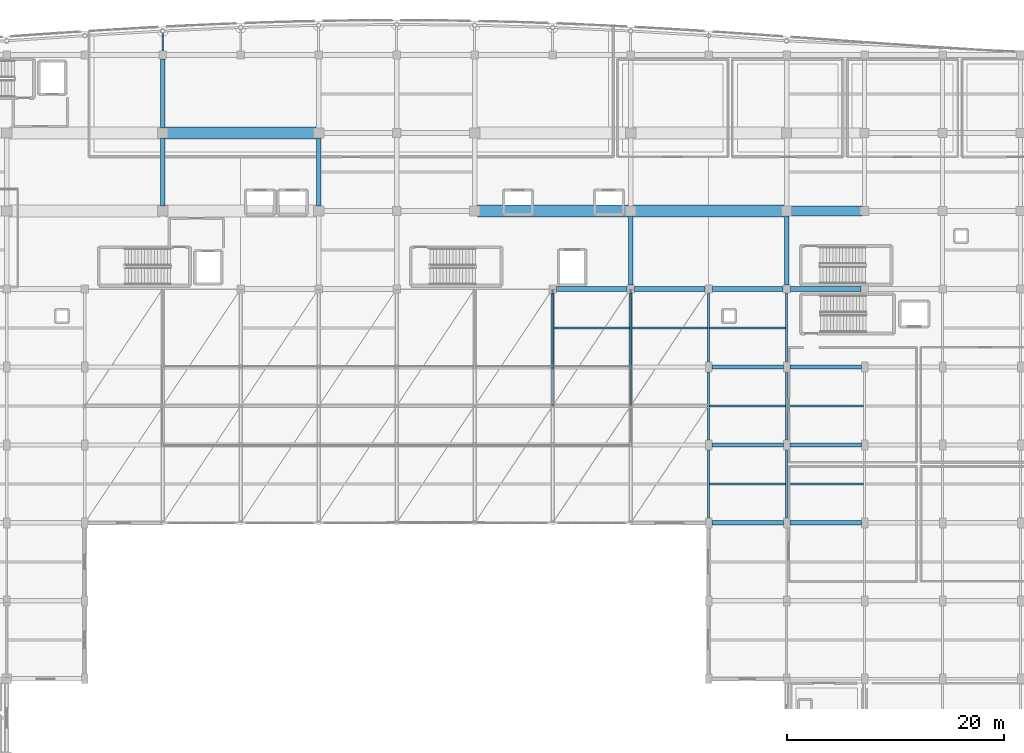
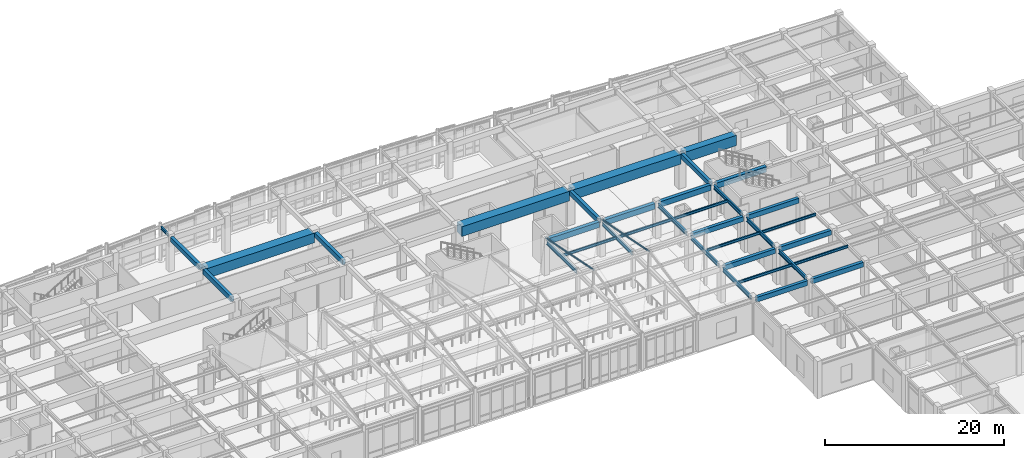
# One storey, part 45 of 117: 35 beams, 2 members.
"""IFC4 building model written with IfcOpenShell, lengths in metres."""

from ifc_helpers import new_model, si_unit, direction, frame, origin, origin_2d, place, context, subcontext, project, spatial, rectangle, hollow_circle, i_section, extrude, material, material_profile, profile_set, type_object, element, save


model = new_model("IFC4")

# Units and contexts
model_context = context("Model", 3, precision=1e-05, world=origin(), true_north=direction((0.0, 1.0)))
body_context = subcontext(model_context, "Body", "Model", "MODEL_VIEW")
ifc_project = project(units=[si_unit("LENGTHUNIT", "METRE"), si_unit("AREAUNIT", "SQUARE_METRE"), si_unit("VOLUMEUNIT", "CUBIC_METRE"), si_unit("PLANEANGLEUNIT", "RADIAN"), si_unit("MASSUNIT", "GRAM", prefix="KILO")], contexts=[model_context])

# Site, building, storey
site_placement = place(None, origin())
site = spatial("IfcSite", under=ifc_project, at=site_placement, CompositionType="ELEMENT")
building_placement = place(site_placement, origin())
building = spatial("IfcBuilding", under=site, at=building_placement, Name="Carrowvane Square Congress Hotel", CompositionType="ELEMENT")
storey_placement = place(building_placement, frame((0.0, 0.0, 5.39990234375)))
storey = spatial("IfcBuildingStorey", under=building, at=storey_placement, Name="L01", CompositionType="ELEMENT", Elevation=5.39990234375)

# Beams
ifc_material_1 = material(Name="Concrete C35/45", Category="concrete")
ifc_material_profile_1 = material_profile(ifc_material_1, rectangle(XDim=0.39990234375, YDim=0.64990234375, at=origin_2d()), Name="RC 400x650")
ifc_profile_set_1 = profile_set([ifc_material_profile_1], Name="Concrete C35/45")
beam_type_1 = type_object("IfcBeamType", Name="BM-RC-400x650", PredefinedType="BEAM", material=ifc_profile_set_1)
for number, where, z_axis, x_axis, name in (
    (1, (127.10009765625, 70.199951171875, 4.455078125), (1.0, 0.0, 0.0), (0.0, 1.0, 0.0), "L02 girder K/17-18"),
    (2, (134.300048828125, 70.199951171875, 4.455078125), (1.0, 0.0, 0.0), (0.0, 1.0, 0.0), "L02 girder K/18-19"),
    (3, (127.10009765625, 77.39990234375, 4.455078125), (1.0, 0.0, 0.0), (0.0, 1.0, 0.0), "L02 girder L/17-18"),
    (4, (134.300048828125, 77.39990234375, 4.455078125), (1.0, 0.0, 0.0), (0.0, 1.0, 0.0), "L02 girder L/18-19"),
    (5, (127.10009765625, 84.60009765625, 4.455078125), (1.0, 0.0, 0.0), (0.0, 1.0, 0.0), "L02 girder M/17-18"),
    (6, (134.300048828125, 84.60009765625, 4.455078125), (1.0, 0.0, 0.0), (0.0, 1.0, 0.0), "L02 girder M/18-19"),
):
    element("IfcBeam", number, at=place(storey_placement, frame(where, z_axis=z_axis, x_axis=x_axis)), inside=storey, type_object=beam_type_1, Name=name, PredefinedType="BEAM", context=body_context, shape_type="SweptSolid", body=[
        extrude(rectangle(XDim=0.39990234375, YDim=0.64990234375, at=origin_2d()), origin(), (0.0, 0.0, 1.0), 6.599853515625),
    ])
beam_1_placement = place(storey_placement, frame((76.39990234375, 99.47509765625, 4.455078125), z_axis=(0.0, 1.0, 0.0), x_axis=(-1.0, 0.0, 0.0)))
element("IfcBeam", 7, at=beam_1_placement, inside=storey, type_object=beam_type_1, Name="L02 girder 10/P-Q", PredefinedType="BEAM", context=body_context, shape_type="SweptSolid", body=[
    extrude(rectangle(XDim=0.39990234375, YDim=0.64990234375, at=origin_2d()), origin(), (0.0, 0.0, 1.0), 6.25),
])
beam_2_placement = place(storey_placement, frame((76.39990234375, 106.675048828125, 4.455078125), z_axis=(0.0, 1.0, 0.0), x_axis=(-1.0, 0.0, 0.0)))
element("IfcBeam", 8, at=beam_2_placement, inside=storey, type_object=beam_type_1, Name="L02 girder 10/Q-R", PredefinedType="BEAM", context=body_context, shape_type="SweptSolid", body=[
    extrude(rectangle(XDim=0.39990234375, YDim=0.64990234375, at=origin_2d()), origin(), (0.0, 0.0, 1.0), 6.375),
])
beam_3_placement = place(storey_placement, frame((90.800048828125, 99.47509765625, 4.455078125), z_axis=(0.0, 1.0, 0.0), x_axis=(-1.0, 0.0, 0.0)))
element("IfcBeam", 9, at=beam_3_placement, inside=storey, type_object=beam_type_1, Name="L02 girder 12/P-Q", PredefinedType="BEAM", context=body_context, shape_type="SweptSolid", body=[
    extrude(rectangle(XDim=0.39990234375, YDim=0.64990234375, at=origin_2d()), origin(), (0.0, 0.0, 1.0), 6.25),
])
for number, where, z_axis, x_axis, name in (
    (10, (119.60009765625, 92.14990234375, 4.455078125), (0.0, 1.0, 0.0), (-1.0, 0.0, 0.0), "L02 girder 16/N-P"),
    (11, (134.0, 92.14990234375, 4.455078125), (0.0, 1.0, 0.0), (-1.0, 0.0, 0.0), "L02 girder 18/N-P"),
):
    element("IfcBeam", number, at=place(storey_placement, frame(where, z_axis=z_axis, x_axis=x_axis)), inside=storey, type_object=beam_type_1, Name=name, PredefinedType="BEAM", context=body_context, shape_type="SweptSolid", body=[
        extrude(rectangle(XDim=0.39990234375, YDim=0.64990234375, at=origin_2d()), origin(), (0.0, 0.0, 1.0), 6.375),
    ])
ifc_material_2 = material(Name="Concrete C35/45", Category="concrete")
ifc_material_profile_2 = material_profile(ifc_material_2, rectangle(XDim=0.449951171875, YDim=0.75, at=origin_2d()), Name="RC 450x750")
ifc_profile_set_2 = profile_set([ifc_material_profile_2], Name="Concrete C35/45")
beam_type_2 = type_object("IfcBeamType", Name="BM-RC-450x750", PredefinedType="USERDEFINED", material=ifc_profile_set_2)
for number, where, z_axis, x_axis, name in (
    (12, (112.75, 91.800048828125, 4.405029296875), (1.0, 0.0, 0.0), (0.0, 1.0, 0.0), "L02 girder N/15-16"),
    (13, (119.949951171875, 91.800048828125, 4.405029296875), (1.0, 0.0, 0.0), (0.0, 1.0, 0.0), "L02 girder N/16-17"),
    (14, (127.14990234375, 91.800048828125, 4.405029296875), (1.0, 0.0, 0.0), (0.0, 1.0, 0.0), "L02 girder N/17-18"),
    (15, (134.35009765625, 91.800048828125, 4.405029296875), (1.0, 0.0, 0.0), (0.0, 1.0, 0.0), "L02 girder N/18-19"),
):
    element("IfcBeam", number, at=place(storey_placement, frame(where, z_axis=z_axis, x_axis=x_axis)), inside=storey, type_object=beam_type_2, Name=name, ObjectType="GIRDER", PredefinedType="USERDEFINED", context=body_context, shape_type="SweptSolid", body=[
        extrude(rectangle(XDim=0.449951171875, YDim=0.75, at=origin_2d()), origin(), (0.0, 0.0, 1.0), 6.5),
    ])
ifc_material_3 = material(Name="Steel S355", Category="steel")
ifc_material_profile_3 = material_profile(ifc_material_3, i_section(OverallWidth=0.172119140625, OverallDepth=0.35791015625, WebThickness=0.008056640625, FlangeThickness=0.012939453125, FilletRadius=0.01025390625, at=origin_2d()), Name="UKB 356x171x57")
ifc_profile_set_3 = profile_set([ifc_material_profile_3], Name="Steel S355")
beam_type_3 = type_object("IfcBeamType", Name="BM-ST-UKB356", PredefinedType="JOIST", material=ifc_profile_set_3)
beam_4_placement = place(storey_placement, frame((112.5048828125, 88.199951171875, 4.60107421875), z_axis=(1.0, 0.0, 0.0), x_axis=(0.0, 1.0, 0.0)))
element("IfcBeam", 16, at=beam_4_placement, inside=storey, type_object=beam_type_3, Name="L02 secondary joist 15-16", PredefinedType="JOIST", context=body_context, shape_type="SweptSolid", body=[
    extrude(i_section(OverallWidth=0.172119140625, OverallDepth=0.35791015625, WebThickness=0.008056640625, FlangeThickness=0.012939453125, FilletRadius=0.01025390625, at=origin_2d()), origin(), (0.0, 0.0, 1.0), 6.990234375),
])
for number, where, z_axis, x_axis, name in (
    (17, (119.705078125, 88.199951171875, 4.60107421875), (1.0, 0.0, 0.0), (0.0, 1.0, 0.0), "L02 secondary joist 16-17"),
    (18, (126.905029296875, 73.800048828125, 4.60107421875), (1.0, 0.0, 0.0), (0.0, 1.0, 0.0), "L02 secondary joist 17-18"),
    (19, (126.905029296875, 81.0, 4.60107421875), (1.0, 0.0, 0.0), (0.0, 1.0, 0.0), "L02 secondary joist 17-18"),
    (20, (126.905029296875, 88.199951171875, 4.60107421875), (1.0, 0.0, 0.0), (0.0, 1.0, 0.0), "L02 secondary joist 17-18"),
    (21, (134.10498046875, 73.800048828125, 4.60107421875), (1.0, 0.0, 0.0), (0.0, 1.0, 0.0), "L02 secondary joist 18-19"),
    (22, (134.10498046875, 81.0, 4.60107421875), (1.0, 0.0, 0.0), (0.0, 1.0, 0.0), "L02 secondary joist 18-19"),
):
    element("IfcBeam", number, at=place(storey_placement, frame(where, z_axis=z_axis, x_axis=x_axis)), inside=storey, type_object=beam_type_3, Name=name, PredefinedType="JOIST", context=body_context, shape_type="SweptSolid", body=[
        extrude(i_section(OverallWidth=0.172119140625, OverallDepth=0.35791015625, WebThickness=0.008056640625, FlangeThickness=0.012939453125, FilletRadius=0.01025390625, at=origin_2d()), origin(), (0.0, 0.0, 1.0), 6.989990234375),
    ])
ifc_material_4 = material(Name="Steel S355", Category="steel")
ifc_material_profile_4 = material_profile(ifc_material_4, i_section(OverallWidth=0.1787109375, OverallDepth=0.409423828125, WebThickness=0.0087890625, FlangeThickness=0.014404296875, FilletRadius=0.01025390625, at=origin_2d()), Name="UKB 406x178x67")
ifc_profile_set_4 = profile_set([ifc_material_profile_4], Name="Steel S355")
beam_type_4 = type_object("IfcBeamType", Name="BM-ST-UKB406", PredefinedType="BEAM", material=ifc_profile_set_4)
beam_5_placement = place(storey_placement, frame((76.39990234375, 113.75, 4.575439453125), z_axis=(0.0, 1.0, 0.0), x_axis=(-1.0, 0.0, 0.0)))
element("IfcBeam", 23, at=beam_5_placement, inside=storey, type_object=beam_type_4, Name="L02 radial north beam 10", PredefinedType="BEAM", context=body_context, shape_type="SweptSolid", body=[
    extrude(i_section(OverallWidth=0.1787109375, OverallDepth=0.409423828125, WebThickness=0.0087890625, FlangeThickness=0.014404296875, FilletRadius=0.01025390625, at=origin_2d()), origin(), (0.0, 0.0, 1.0), 1.664306640625),
])
ifc_material_5 = material(Name="Steel S355", Category="steel")
ifc_material_profile_5 = material_profile(ifc_material_5, i_section(OverallWidth=0.2099609375, OverallDepth=0.53662109375, WebThickness=0.0107421875, FlangeThickness=0.017333984375, FilletRadius=0.0126953125, at=origin_2d()), Name="UKB 533x210x101")
ifc_profile_set_5 = profile_set([ifc_material_profile_5], Name="Steel S355")
beam_type_5 = type_object("IfcBeamType", Name="BM-ST-UKB533", PredefinedType="USERDEFINED", material=ifc_profile_set_5)
for number, where, z_axis, x_axis, name in (
    (24, (112.39990234375, 84.781005859375, 4.51171875), (0.0, 1.0, 0.0), (-1.0, 0.0, 0.0), "L02 girder 15/M-N"),
    (25, (119.60009765625, 84.781005859375, 4.51171875), (0.0, 1.0, 0.0), (-1.0, 0.0, 0.0), "L02 girder 16/M-N"),
):
    element("IfcBeam", number, at=place(storey_placement, frame(where, z_axis=z_axis, x_axis=x_axis)), inside=storey, type_object=beam_type_5, Name=name, ObjectType="GIRDER", PredefinedType="USERDEFINED", context=body_context, shape_type="SweptSolid", body=[
        extrude(i_section(OverallWidth=0.2099609375, OverallDepth=0.53662109375, WebThickness=0.0107421875, FlangeThickness=0.017333984375, FilletRadius=0.0126953125, at=origin_2d()), origin(), (0.0, 0.0, 1.0), 6.6689453125),
    ])
beam_6_placement = place(storey_placement, frame((126.800048828125, 70.64990234375, 4.51171875), z_axis=(0.0, 1.0, 0.0), x_axis=(-1.0, 0.0, 0.0)))
element("IfcBeam", 26, at=beam_6_placement, inside=storey, type_object=beam_type_5, Name="L02 girder 17/K-L", ObjectType="GIRDER", PredefinedType="USERDEFINED", context=body_context, shape_type="SweptSolid", body=[
    extrude(i_section(OverallWidth=0.2099609375, OverallDepth=0.53662109375, WebThickness=0.0107421875, FlangeThickness=0.017333984375, FilletRadius=0.0126953125, at=origin_2d()), origin(), (0.0, 0.0, 1.0), 6.300048828125),
])
beam_7_placement = place(storey_placement, frame((126.800048828125, 77.85009765625, 4.51171875), z_axis=(0.0, 1.0, 0.0), x_axis=(-1.0, 0.0, 0.0)))
element("IfcBeam", 27, at=beam_7_placement, inside=storey, type_object=beam_type_5, Name="L02 girder 17/L-M", ObjectType="GIRDER", PredefinedType="USERDEFINED", context=body_context, shape_type="SweptSolid", body=[
    extrude(i_section(OverallWidth=0.2099609375, OverallDepth=0.53662109375, WebThickness=0.0107421875, FlangeThickness=0.017333984375, FilletRadius=0.0126953125, at=origin_2d()), origin(), (0.0, 0.0, 1.0), 6.2998046875),
])
beam_8_placement = place(storey_placement, frame((126.800048828125, 85.050048828125, 4.51171875), z_axis=(0.0, 1.0, 0.0), x_axis=(-1.0, 0.0, 0.0)))
element("IfcBeam", 28, at=beam_8_placement, inside=storey, type_object=beam_type_5, Name="L02 girder 17/M-N", ObjectType="GIRDER", PredefinedType="USERDEFINED", context=body_context, shape_type="SweptSolid", body=[
    extrude(i_section(OverallWidth=0.2099609375, OverallDepth=0.53662109375, WebThickness=0.0107421875, FlangeThickness=0.017333984375, FilletRadius=0.0126953125, at=origin_2d()), origin(), (0.0, 0.0, 1.0), 6.39990234375),
])
beam_9_placement = place(storey_placement, frame((134.0, 70.64990234375, 4.51171875), z_axis=(0.0, 1.0, 0.0), x_axis=(-1.0, 0.0, 0.0)))
element("IfcBeam", 29, at=beam_9_placement, inside=storey, type_object=beam_type_5, Name="L02 girder 18/K-L", ObjectType="GIRDER", PredefinedType="USERDEFINED", context=body_context, shape_type="SweptSolid", body=[
    extrude(i_section(OverallWidth=0.2099609375, OverallDepth=0.53662109375, WebThickness=0.0107421875, FlangeThickness=0.017333984375, FilletRadius=0.0126953125, at=origin_2d()), origin(), (0.0, 0.0, 1.0), 6.300048828125),
])
beam_10_placement = place(storey_placement, frame((134.0, 77.85009765625, 4.51171875), z_axis=(0.0, 1.0, 0.0), x_axis=(-1.0, 0.0, 0.0)))
element("IfcBeam", 30, at=beam_10_placement, inside=storey, type_object=beam_type_5, Name="L02 girder 18/L-M", ObjectType="GIRDER", PredefinedType="USERDEFINED", context=body_context, shape_type="SweptSolid", body=[
    extrude(i_section(OverallWidth=0.2099609375, OverallDepth=0.53662109375, WebThickness=0.0107421875, FlangeThickness=0.017333984375, FilletRadius=0.0126953125, at=origin_2d()), origin(), (0.0, 0.0, 1.0), 6.2998046875),
])
beam_11_placement = place(storey_placement, frame((134.0, 85.050048828125, 4.51171875), z_axis=(0.0, 1.0, 0.0), x_axis=(-1.0, 0.0, 0.0)))
element("IfcBeam", 31, at=beam_11_placement, inside=storey, type_object=beam_type_5, Name="L02 girder 18/M-N", ObjectType="GIRDER", PredefinedType="USERDEFINED", context=body_context, shape_type="SweptSolid", body=[
    extrude(i_section(OverallWidth=0.2099609375, OverallDepth=0.53662109375, WebThickness=0.0107421875, FlangeThickness=0.017333984375, FilletRadius=0.0126953125, at=origin_2d()), origin(), (0.0, 0.0, 1.0), 6.39990234375),
])

# Members
ifc_material_6 = material(Name="Steel S355", Category="steel")
ifc_material_profile_6 = material_profile(ifc_material_6, hollow_circle(Radius=0.109619140625, WallThickness=0.012451171875, at=origin_2d()), Name="CHS 219.1x12.5")
ifc_profile_set_6 = profile_set([ifc_material_profile_6], Name="Steel S355")
member_type = type_object("IfcMemberType", Name="MEM-ST-CHS219", PredefinedType="STRUT", material=ifc_profile_set_6)
for number, where, z_axis, x_axis, name in (
    (32, (112.39990234375, 81.0, 7.045654296875), (0.0, 0.980904965039, -0.19448765915), (-1.0, 0.0, 0.0), "Public passage canopy strut N-6"),
    (33, (119.60009765625, 81.0, 7.045654296875), (0.0, 0.980904965039, -0.19448765915), (-1.0, 0.0, 0.0), "Public passage canopy strut N-7"),
):
    element("IfcMember", number, at=place(storey_placement, frame(where, z_axis=z_axis, x_axis=x_axis)), inside=storey, type_object=member_type, Name=name, PredefinedType="STRUT", context=body_context, shape_type="SweptSolid", body=[
        extrude(hollow_circle(Radius=0.109619140625, WallThickness=0.012451171875, at=origin_2d()), origin(), (0.0, 0.0, 1.0), 10.9287109375),
    ])

# Beams
ifc_material_7 = material(Name="Concrete C40/50", Category="concrete")
ifc_material_profile_7 = material_profile(ifc_material_7, rectangle(XDim=1.14990234375, YDim=1.320068359375, at=origin_2d()), Name="RC 1150x1320")
ifc_profile_set_7 = profile_set([ifc_material_profile_7], Name="Concrete C40/50")
beam_type_6 = type_object("IfcBeamType", Name="TG-RC-1000x1650", PredefinedType="USERDEFINED", material=ifc_profile_set_7)
beam_12_placement = place(storey_placement, frame((105.449951171875, 99.0, 4.1201171875), z_axis=(1.0, 0.0, 0.0), x_axis=(0.0, 1.0, 0.0)))
element("IfcBeam", 34, at=beam_12_placement, inside=storey, type_object=beam_type_6, Name="L02 transfer girder 14-16/P", ObjectType="GIRDER", PredefinedType="USERDEFINED", context=body_context, shape_type="SweptSolid", body=[
    extrude(rectangle(XDim=1.14990234375, YDim=1.320068359375, at=origin_2d()), origin(), (0.0, 0.0, 1.0), 13.900146484375),
])
beam_13_placement = place(storey_placement, frame((119.85009765625, 99.0, 4.1201171875), z_axis=(1.0, 0.0, 0.0), x_axis=(0.0, 1.0, 0.0)))
element("IfcBeam", 35, at=beam_13_placement, inside=storey, type_object=beam_type_6, Name="L02 transfer girder 16-18/P", ObjectType="GIRDER", PredefinedType="USERDEFINED", context=body_context, shape_type="SweptSolid", body=[
    extrude(rectangle(XDim=1.14990234375, YDim=1.320068359375, at=origin_2d()), origin(), (0.0, 0.0, 1.0), 13.89990234375),
])
beam_14_placement = place(storey_placement, frame((76.64990234375, 106.199951171875, 4.1201171875), z_axis=(1.0, 0.0, 0.0), x_axis=(0.0, 1.0, 0.0)))
element("IfcBeam", 36, at=beam_14_placement, inside=storey, type_object=beam_type_6, Name="L02 transfer girder 10-12/Q", ObjectType="GIRDER", PredefinedType="USERDEFINED", context=body_context, shape_type="SweptSolid", body=[
    extrude(rectangle(XDim=1.14990234375, YDim=1.320068359375, at=origin_2d()), origin(), (0.0, 0.0, 1.0), 13.900146484375),
])
ifc_material_8 = material(Name="Concrete C40/50", Category="concrete")
ifc_material_profile_8 = material_profile(ifc_material_8, rectangle(XDim=0.89990234375, YDim=1.39990234375, at=origin_2d()), Name="RC 900x1400")
ifc_profile_set_8 = profile_set([ifc_material_profile_8], Name="Concrete C40/50")
beam_type_7 = type_object("IfcBeamType", Name="TG-RC-900x1400", PredefinedType="USERDEFINED", material=ifc_profile_set_8)
beam_15_placement = place(storey_placement, frame((134.25, 99.0, 4.080078125), z_axis=(1.0, 0.0, 0.0), x_axis=(0.0, 1.0, 0.0)))
element("IfcBeam", 37, at=beam_15_placement, inside=storey, type_object=beam_type_7, Name="L02 transition girder 18-19/P", ObjectType="GIRDER", PredefinedType="USERDEFINED", context=body_context, shape_type="SweptSolid", body=[
    extrude(rectangle(XDim=0.89990234375, YDim=1.39990234375, at=origin_2d()), origin(), (0.0, 0.0, 1.0), 6.75),
])

save(model, "model.ifc")
